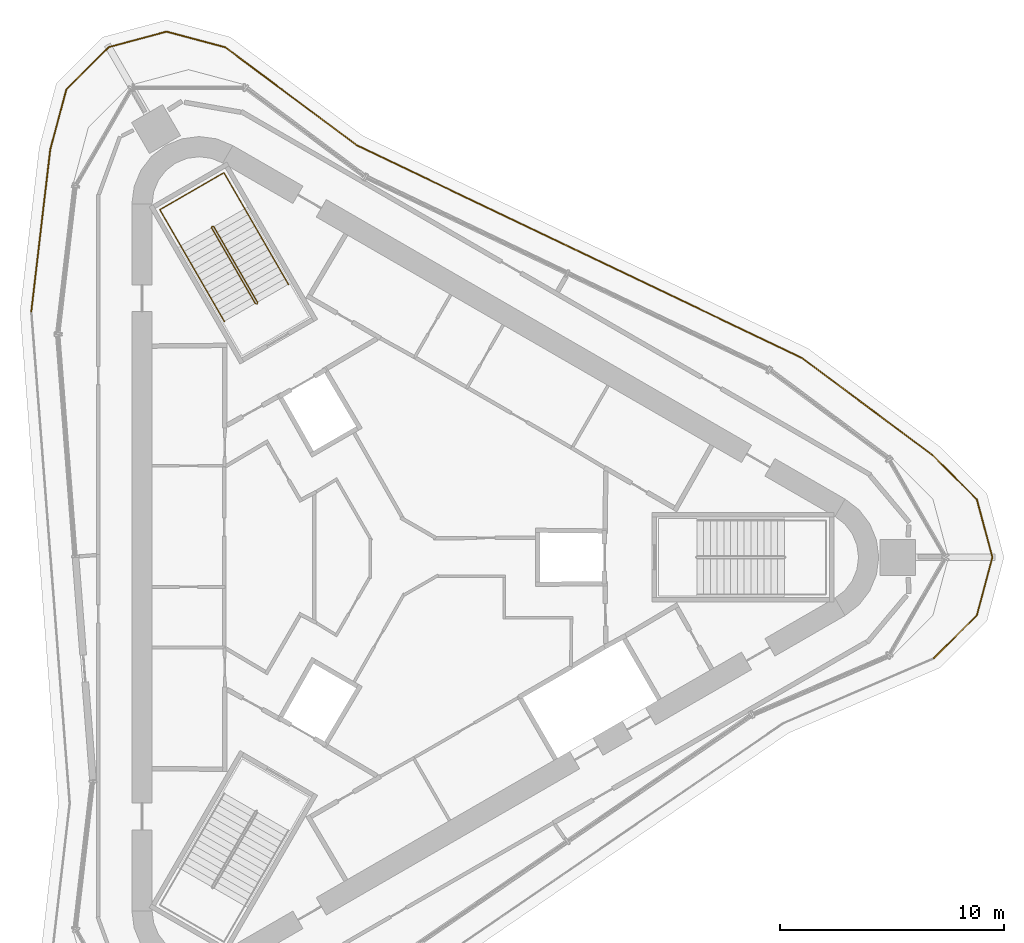
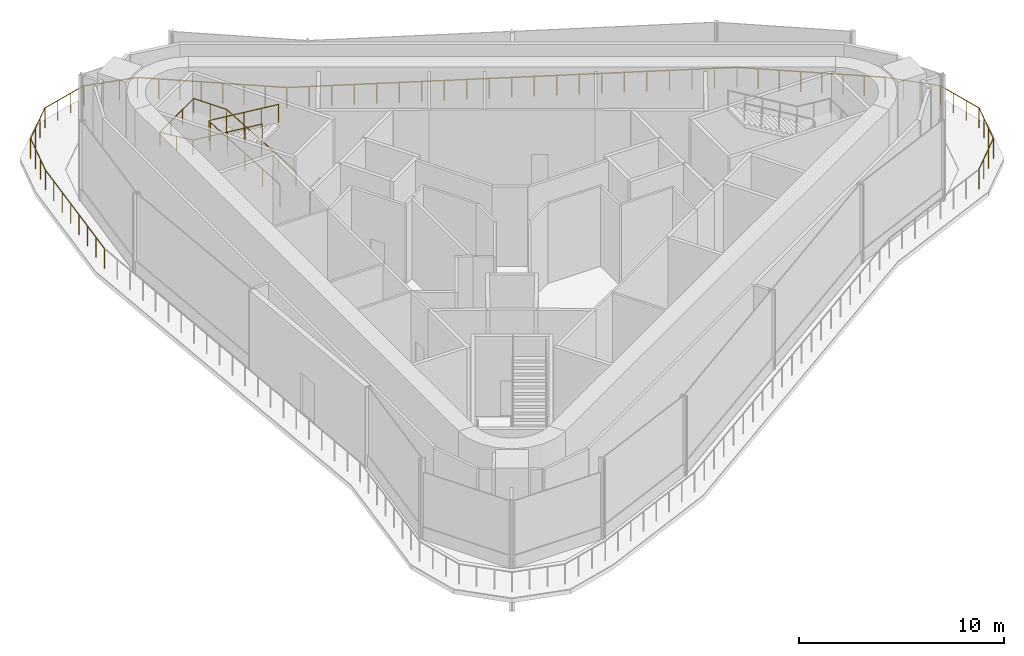
# One storey, part 8 of 8: 10 railings.
"""IFC4 building model written with IfcOpenShell, lengths in metres."""

from ifc_helpers import new_model, si_unit, direction, frame, origin, origin_2d, place, context, subcontext, project, spatial, circle, extrude, material, type_object, element, save


model = new_model("IFC4")

# Units and contexts
model_context = context("Model", 3, precision=1e-05, world=origin(), true_north=direction((0.0, 1.0)))
body_context = subcontext(model_context, "Body", "Model", "MODEL_VIEW")
ifc_project = project(units=[si_unit("LENGTHUNIT", "METRE"), si_unit("AREAUNIT", "SQUARE_METRE"), si_unit("VOLUMEUNIT", "CUBIC_METRE"), si_unit("PLANEANGLEUNIT", "RADIAN"), si_unit("MASSUNIT", "GRAM", prefix="KILO")], contexts=[model_context])

# Site, building, storey
site_placement = place(None, origin())
site = spatial("IfcSite", under=ifc_project, at=site_placement, CompositionType="ELEMENT")
building_placement = place(site_placement, origin())
building = spatial("IfcBuilding", under=site, at=building_placement, Name="Tanit Gate Tower", CompositionType="ELEMENT")
storey_placement = place(building_placement, frame((0.0, 0.0, 435.300048828125)))
storey = spatial("IfcBuildingStorey", under=building, at=storey_placement, Name="L98", CompositionType="ELEMENT", Elevation=435.300048828125)

# Railings
ifc_material_1 = material(Name="Stainless steel", Category="steel")
railing_type_1 = type_object("IfcRailingType", Name="Guard 1200 terrace balustrade", PredefinedType="GUARDRAIL", material=ifc_material_1)
railing_1_placement = place(storey_placement, frame((23.6171875, 4.54150390625, 0.0400390625)))
element("IfcRailing", 1, at=railing_1_placement, inside=storey, type_object=railing_type_1, Name="Terrace guard L98 1", PredefinedType="GUARDRAIL", context=body_context, shape_type="SweptSolid", body=[
    extrude(circle(Radius=0.02392578125, at=origin_2d()), frame((0.0, 0.0, 1.17578125), z_axis=(0.707106781187, -0.707106781187, 0.0), x_axis=(0.707106781187, 0.707106781187, 0.0)), (0.0, 0.0, 1.0), 2.77099609375),
    extrude(circle(Radius=0.02392578125, at=origin_2d()), frame((1.95947265625, -1.95947265625, 1.17578125), z_axis=(0.258748259402, -0.965944790481, 0.0), x_axis=(0.965944790481, 0.258748259402, 0.0)), (0.0, 0.0, 1.0), 2.673095703125),
    extrude(circle(Radius=0.02099609375, at=origin_2d()), origin(), (0.0, 0.0, 1.0), 1.15185546875),
    extrude(circle(Radius=0.02099609375, at=origin_2d()), frame((0.653076171875, -0.653076171875, 0.0)), (0.0, 0.0, 1.0), 1.15185546875),
    extrude(circle(Radius=0.02099609375, at=origin_2d()), frame((1.306396484375, -1.306396484375, 0.0)), (0.0, 0.0, 1.0), 1.15185546875),
    extrude(circle(Radius=0.02099609375, at=origin_2d()), frame((1.95947265625, -1.95947265625, 0.0)), (0.0, 0.0, 1.0), 1.15185546875),
    extrude(circle(Radius=0.02099609375, at=origin_2d()), frame((2.18994140625, -2.820068359375, 0.0)), (0.0, 0.0, 1.0), 1.15185546875),
    extrude(circle(Radius=0.02099609375, at=origin_2d()), frame((2.420654296875, -3.680908203125, 0.0)), (0.0, 0.0, 1.0), 1.15185546875),
    extrude(circle(Radius=0.02099609375, at=origin_2d()), frame((2.651123046875, -4.54150390625, 0.0)), (0.0, 0.0, 1.0), 1.15185546875),
])
railing_2_placement = place(storey_placement, frame((26.268310546875, 0.0, 0.0400390625)))
element("IfcRailing", 2, at=railing_2_placement, inside=storey, type_object=railing_type_1, Name="Terrace guard L98 1", PredefinedType="GUARDRAIL", context=body_context, shape_type="SweptSolid", body=[
    extrude(circle(Radius=0.02392578125, at=origin_2d()), frame((0.0, 0.0, 1.17578125), z_axis=(-0.258748259402, -0.965944790481, 0.0), x_axis=(0.965944790481, -0.258748259402, 0.0)), (0.0, 0.0, 1.0), 2.673095703125),
    extrude(circle(Radius=0.02392578125, at=origin_2d()), frame((-0.691650390625, -2.58203125, 1.17578125), z_axis=(-0.707106781187, -0.707106781187, 0.0), x_axis=(0.707106781187, -0.707106781187, 0.0)), (0.0, 0.0, 1.0), 2.711669921875),
    extrude(circle(Radius=0.02099609375, at=origin_2d()), origin(), (0.0, 0.0, 1.0), 1.15185546875),
    extrude(circle(Radius=0.02099609375, at=origin_2d()), frame((-0.23046875, -0.860595703125, 0.0)), (0.0, 0.0, 1.0), 1.15185546875),
    extrude(circle(Radius=0.02099609375, at=origin_2d()), frame((-0.461181640625, -1.721435546875, 0.0)), (0.0, 0.0, 1.0), 1.15185546875),
    extrude(circle(Radius=0.02099609375, at=origin_2d()), frame((-0.691650390625, -2.58203125, 0.0)), (0.0, 0.0, 1.0), 1.15185546875),
    extrude(circle(Radius=0.02099609375, at=origin_2d()), frame((-1.330810546875, -3.22119140625, 0.0)), (0.0, 0.0, 1.0), 1.15185546875),
    extrude(circle(Radius=0.02099609375, at=origin_2d()), frame((-1.969970703125, -3.8603515625, 0.0)), (0.0, 0.0, 1.0), 1.15185546875),
    extrude(circle(Radius=0.02099609375, at=origin_2d()), frame((-2.609130859375, -4.49951171875, 0.0)), (0.0, 0.0, 1.0), 1.15185546875),
])
railing_3_placement = place(storey_placement, frame((-16.587890625, 10.956298828125, 0.0400390625)))
element("IfcRailing", 3, at=railing_3_placement, inside=storey, type_object=railing_type_1, Name="Terrace guard L98 1", PredefinedType="GUARDRAIL", context=body_context, shape_type="SweptSolid", body=[
    extrude(circle(Radius=0.02392578125, at=origin_2d()), frame((0.0, 0.0, 1.17578125), z_axis=(0.116307758268, 0.993213222509, 0.0), x_axis=(-0.993213222509, 0.116307758268, 0.0)), (0.0, 0.0, 1.0), 7.275390625),
    extrude(circle(Radius=0.02392578125, at=origin_2d()), frame((0.84619140625, 7.22607421875, 1.17578125), z_axis=(0.258857928046, 0.965915406797, 0.0), x_axis=(-0.965915406797, 0.258857928046, 0.0)), (0.0, 0.0, 1.0), 2.77099609375),
    extrude(circle(Radius=0.02099609375, at=origin_2d()), origin(), (0.0, 0.0, 1.0), 1.15185546875),
    extrude(circle(Radius=0.02099609375, at=origin_2d()), frame((0.120849609375, 1.0322265625, 0.0)), (0.0, 0.0, 1.0), 1.15185546875),
    extrude(circle(Radius=0.02099609375, at=origin_2d()), frame((0.24169921875, 2.064697265625, 0.0)), (0.0, 0.0, 1.0), 1.15185546875),
    extrude(circle(Radius=0.02099609375, at=origin_2d()), frame((0.362548828125, 3.096923828125, 0.0)), (0.0, 0.0, 1.0), 1.15185546875),
    extrude(circle(Radius=0.02099609375, at=origin_2d()), frame((0.483642578125, 4.129150390625, 0.0)), (0.0, 0.0, 1.0), 1.15185546875),
    extrude(circle(Radius=0.02099609375, at=origin_2d()), frame((0.6044921875, 5.161376953125, 0.0)), (0.0, 0.0, 1.0), 1.15185546875),
    extrude(circle(Radius=0.02099609375, at=origin_2d()), frame((0.725341796875, 6.19384765625, 0.0)), (0.0, 0.0, 1.0), 1.15185546875),
    extrude(circle(Radius=0.02099609375, at=origin_2d()), frame((0.84619140625, 7.22607421875, 0.0)), (0.0, 0.0, 1.0), 1.15185546875),
    extrude(circle(Radius=0.02099609375, at=origin_2d()), frame((1.085205078125, 8.1181640625, 0.0)), (0.0, 0.0, 1.0), 1.15185546875),
    extrude(circle(Radius=0.02099609375, at=origin_2d()), frame((1.324462890625, 9.010498046875, 0.0)), (0.0, 0.0, 1.0), 1.15185546875),
    extrude(circle(Radius=0.02099609375, at=origin_2d()), frame((1.5634765625, 9.902587890625, 0.0)), (0.0, 0.0, 1.0), 1.15185546875),
])
railing_4_placement = place(storey_placement, frame((-15.0244140625, 20.85888671875, 0.0400390625)))
element("IfcRailing", 4, at=railing_4_placement, inside=storey, type_object=railing_type_1, Name="Terrace guard L98 1", PredefinedType="GUARDRAIL", context=body_context, shape_type="SweptSolid", body=[
    extrude(circle(Radius=0.02392578125, at=origin_2d()), frame((0.0, 0.0, 1.17578125), z_axis=(0.707106781187, 0.707106781187, 0.0), x_axis=(-0.707106781187, 0.707106781187, 0.0)), (0.0, 0.0, 1.0), 2.673095703125),
    extrude(circle(Radius=0.02392578125, at=origin_2d()), frame((1.89013671875, 1.89013671875, 1.17578125), z_axis=(0.965928077566, 0.258810643077, 0.0), x_axis=(-0.258810643077, 0.965928077566, 0.0)), (0.0, 0.0, 1.0), 2.67333984375),
    extrude(circle(Radius=0.02099609375, at=origin_2d()), origin(), (0.0, 0.0, 1.0), 1.15185546875),
    extrude(circle(Radius=0.02099609375, at=origin_2d()), frame((0.630126953125, 0.630126953125, 0.0)), (0.0, 0.0, 1.0), 1.15185546875),
    extrude(circle(Radius=0.02099609375, at=origin_2d()), frame((1.260009765625, 1.260009765625, 0.0)), (0.0, 0.0, 1.0), 1.15185546875),
    extrude(circle(Radius=0.02099609375, at=origin_2d()), frame((1.89013671875, 1.89013671875, 0.0)), (0.0, 0.0, 1.0), 1.15185546875),
    extrude(circle(Radius=0.02099609375, at=origin_2d()), frame((2.7509765625, 2.120849609375, 0.0)), (0.0, 0.0, 1.0), 1.15185546875),
    extrude(circle(Radius=0.02099609375, at=origin_2d()), frame((3.611572265625, 2.351318359375, 0.0)), (0.0, 0.0, 1.0), 1.15185546875),
    extrude(circle(Radius=0.02099609375, at=origin_2d()), frame((4.472412109375, 2.58203125, 0.0)), (0.0, 0.0, 1.0), 1.15185546875),
])
railing_5_placement = place(storey_placement, frame((-10.552001953125, 23.44091796875, 0.0400390625)))
element("IfcRailing", 5, at=railing_5_placement, inside=storey, type_object=railing_type_1, Name="Terrace guard L98 1", PredefinedType="GUARDRAIL", context=body_context, shape_type="SweptSolid", body=[
    extrude(circle(Radius=0.02392578125, at=origin_2d()), frame((0.0, 0.0, 1.17578125), z_axis=(0.965932376599, -0.258794597776, 0.0), x_axis=(0.258794597776, 0.965932376599, 0.0)), (0.0, 0.0, 1.0), 2.711181640625),
    extrude(circle(Radius=0.02392578125, at=origin_2d()), frame((2.618896484375, -0.70166015625, 1.17578125), z_axis=(0.801978462768, -0.597352948646, 0.0), x_axis=(0.597352948646, 0.801978462768, 0.0)), (0.0, 0.0, 1.0), 7.313720703125),
    extrude(circle(Radius=0.02099609375, at=origin_2d()), origin(), (0.0, 0.0, 1.0), 1.15185546875),
    extrude(circle(Radius=0.02099609375, at=origin_2d()), frame((0.873046875, -0.23388671875, 0.0)), (0.0, 0.0, 1.0), 1.15185546875),
    extrude(circle(Radius=0.02099609375, at=origin_2d()), frame((1.745849609375, -0.4677734375, 0.0)), (0.0, 0.0, 1.0), 1.15185546875),
    extrude(circle(Radius=0.02099609375, at=origin_2d()), frame((2.618896484375, -0.70166015625, 0.0)), (0.0, 0.0, 1.0), 1.15185546875),
    extrude(circle(Radius=0.02099609375, at=origin_2d()), frame((3.456787109375, -1.32568359375, 0.0)), (0.0, 0.0, 1.0), 1.15185546875),
    extrude(circle(Radius=0.02099609375, at=origin_2d()), frame((4.294677734375, -1.949951171875, 0.0)), (0.0, 0.0, 1.0), 1.15185546875),
    extrude(circle(Radius=0.02099609375, at=origin_2d()), frame((5.132568359375, -2.573974609375, 0.0)), (0.0, 0.0, 1.0), 1.15185546875),
    extrude(circle(Radius=0.02099609375, at=origin_2d()), frame((5.970703125, -3.1982421875, 0.0)), (0.0, 0.0, 1.0), 1.15185546875),
    extrude(circle(Radius=0.02099609375, at=origin_2d()), frame((6.80859375, -3.822265625, 0.0)), (0.0, 0.0, 1.0), 1.15185546875),
    extrude(circle(Radius=0.02099609375, at=origin_2d()), frame((7.646484375, -4.446533203125, 0.0)), (0.0, 0.0, 1.0), 1.15185546875),
    extrude(circle(Radius=0.02099609375, at=origin_2d()), frame((8.484375, -5.070556640625, 0.0)), (0.0, 0.0, 1.0), 1.15185546875),
])
for number, where, name in (
    (6, (-2.067626953125, 18.370361328125, 0.0400390625), "Terrace guard L98 1"),
    (7, (7.857421875, 13.62890625, 0.0400390625), "Terrace guard L98 1"),
):
    element("IfcRailing", number, at=place(storey_placement, frame(where)), inside=storey, type_object=railing_type_1, Name=name, PredefinedType="GUARDRAIL", context=body_context, shape_type="SweptSolid", body=[
        extrude(circle(Radius=0.02392578125, at=origin_2d()), frame((0.0, 0.0, 1.17578125), z_axis=(0.902321945968, -0.431062763207, 0.0), x_axis=(0.431062763207, 0.902321945968, 0.0)), (0.0, 0.0, 1.0), 10.99951171875),
        extrude(circle(Radius=0.02099609375, at=origin_2d()), origin(), (0.0, 0.0, 1.0), 1.15185546875),
        extrude(circle(Radius=0.02099609375, at=origin_2d()), frame((0.992431640625, -0.47412109375, 0.0)), (0.0, 0.0, 1.0), 1.15185546875),
        extrude(circle(Radius=0.02099609375, at=origin_2d()), frame((1.985107421875, -0.9482421875, 0.0)), (0.0, 0.0, 1.0), 1.15185546875),
        extrude(circle(Radius=0.02099609375, at=origin_2d()), frame((2.9775390625, -1.42236328125, 0.0)), (0.0, 0.0, 1.0), 1.15185546875),
        extrude(circle(Radius=0.02099609375, at=origin_2d()), frame((3.969970703125, -1.896484375, 0.0)), (0.0, 0.0, 1.0), 1.15185546875),
        extrude(circle(Radius=0.02099609375, at=origin_2d()), frame((4.96240234375, -2.37060546875, 0.0)), (0.0, 0.0, 1.0), 1.15185546875),
        extrude(circle(Radius=0.02099609375, at=origin_2d()), frame((5.955078125, -2.844970703125, 0.0)), (0.0, 0.0, 1.0), 1.15185546875),
        extrude(circle(Radius=0.02099609375, at=origin_2d()), frame((6.947509765625, -3.319091796875, 0.0)), (0.0, 0.0, 1.0), 1.15185546875),
        extrude(circle(Radius=0.02099609375, at=origin_2d()), frame((7.93994140625, -3.793212890625, 0.0)), (0.0, 0.0, 1.0), 1.15185546875),
        extrude(circle(Radius=0.02099609375, at=origin_2d()), frame((8.9326171875, -4.267333984375, 0.0)), (0.0, 0.0, 1.0), 1.15185546875),
        extrude(circle(Radius=0.02099609375, at=origin_2d()), frame((9.925048828125, -4.741455078125, 0.0)), (0.0, 0.0, 1.0), 1.15185546875),
    ])
railing_6_placement = place(storey_placement, frame((17.782470703125, 8.887451171875, 0.0400390625)))
element("IfcRailing", 8, at=railing_6_placement, inside=storey, type_object=railing_type_1, Name="Terrace guard L98 1", PredefinedType="GUARDRAIL", context=body_context, shape_type="SweptSolid", body=[
    extrude(circle(Radius=0.02392578125, at=origin_2d()), frame((0.0, 0.0, 1.17578125), z_axis=(0.801980858269, -0.597349732543, 0.0), x_axis=(0.597349732543, 0.801980858269, 0.0)), (0.0, 0.0, 1.0), 7.275390625),
    extrude(circle(Radius=0.02099609375, at=origin_2d()), origin(), (0.0, 0.0, 1.0), 1.15185546875),
    extrude(circle(Radius=0.02099609375, at=origin_2d()), frame((0.83349609375, -0.620849609375, 0.0)), (0.0, 0.0, 1.0), 1.15185546875),
    extrude(circle(Radius=0.02099609375, at=origin_2d()), frame((1.6669921875, -1.24169921875, 0.0)), (0.0, 0.0, 1.0), 1.15185546875),
    extrude(circle(Radius=0.02099609375, at=origin_2d()), frame((2.50048828125, -1.862548828125, 0.0)), (0.0, 0.0, 1.0), 1.15185546875),
    extrude(circle(Radius=0.02099609375, at=origin_2d()), frame((3.334228515625, -2.4833984375, 0.0)), (0.0, 0.0, 1.0), 1.15185546875),
    extrude(circle(Radius=0.02099609375, at=origin_2d()), frame((4.167724609375, -3.104248046875, 0.0)), (0.0, 0.0, 1.0), 1.15185546875),
    extrude(circle(Radius=0.02099609375, at=origin_2d()), frame((5.001220703125, -3.72509765625, 0.0)), (0.0, 0.0, 1.0), 1.15185546875),
    extrude(circle(Radius=0.02099609375, at=origin_2d()), frame((5.834716796875, -4.345947265625, 0.0)), (0.0, 0.0, 1.0), 1.15185546875),
])
ifc_material_2 = material(Name="Stainless steel balustrade", Category="steel")
railing_type_2 = type_object("IfcRailingType", Name="INT-STAIR-GUARD", PredefinedType="GUARDRAIL", material=ifc_material_2)
railing_7_placement = place(storey_placement, frame((-6.527099609375, 11.29345703125, 0.0)))
element("IfcRailing", 9, at=railing_7_placement, inside=storey, type_object=railing_type_2, Name="L98 S2 stair guard 1", PredefinedType="GUARDRAIL", context=body_context, shape_type="SweptSolid", body=[
    extrude(circle(Radius=0.02392578125, at=origin_2d()), frame((0.0, 0.0, 1.076171875), z_axis=(0.868243142124, 0.496138938357, 0.0), x_axis=(-0.496138938357, 0.868243142124, 0.0)), (0.0, 0.0, 1.0), 0.01171875),
    extrude(circle(Radius=0.02392578125, at=origin_2d()), frame((0.01025390625, 0.005859375, 1.076171875), z_axis=(0.095374316588, 0.356064115262, 0.929581672344), x_axis=(-0.965948051503, 0.258736085224, 0.0)), (0.0, 0.0, 1.0), 0.19189453125),
    extrude(circle(Radius=0.02392578125, at=origin_2d()), frame((0.028564453125, 0.07421875, 1.25439453125), z_axis=(-0.429636665928, 0.744158462057, 0.511508082673), x_axis=(-0.866027128446, -0.499997012787, 0.0)), (0.0, 0.0, 1.0), 4.53857421875),
    extrude(circle(Radius=0.02392578125, at=origin_2d()), frame((-1.92138671875, 3.45166015625, 3.576171875), z_axis=(-0.965948051503, 0.258736085224, 0.0), x_axis=(-0.258736085224, -0.965948051503, 0.0)), (0.0, 0.0, 1.0), 0.07080078125),
    extrude(circle(Radius=0.02392578125, at=origin_2d()), frame((-1.98974609375, 3.469970703125, 3.576171875), z_axis=(-0.868243142124, -0.496138938357, 0.0), x_axis=(0.496138938357, -0.868243142124, 0.0)), (0.0, 0.0, 1.0), 0.01171875),
    extrude(circle(Radius=0.02392578125, at=origin_2d()), frame((-2.0, 3.464111328125, 3.576171875), z_axis=(-0.095374316588, -0.356064115262, 0.929581672344), x_axis=(0.965948051503, -0.258736085224, 0.0)), (0.0, 0.0, 1.0), 0.19189453125),
    extrude(circle(Radius=0.02392578125, at=origin_2d()), frame((-2.018310546875, 3.395751953125, 3.75439453125), z_axis=(0.429636665928, -0.744158462057, 0.511508082673), x_axis=(0.866027128446, 0.499997012787, 0.0)), (0.0, 0.0, 1.0), 4.53857421875),
    extrude(circle(Radius=0.02099609375, at=origin_2d()), origin(), (0.0, 0.0, 1.0), 1.052001953125),
    extrude(circle(Radius=0.02099609375, at=origin_2d()), frame((0.01025390625, 0.005859375, 0.0)), (0.0, 0.0, 1.0), 1.052001953125),
    extrude(circle(Radius=0.02099609375, at=origin_2d()), frame((0.028564453125, 0.07421875, 0.178466796875)), (0.0, 0.0, 1.0), 1.052001953125),
    extrude(circle(Radius=0.02099609375, at=origin_2d()), frame((-0.458984375, 0.91845703125, 0.7587890625)), (0.0, 0.0, 1.0), 1.052001953125),
    extrude(circle(Radius=0.02099609375, at=origin_2d()), frame((-0.9462890625, 1.762939453125, 1.33935546875)), (0.0, 0.0, 1.0), 1.052001953125),
    extrude(circle(Radius=0.02099609375, at=origin_2d()), frame((-1.433837890625, 2.607421875, 1.919677734375)), (0.0, 0.0, 1.0), 1.052001953125),
    extrude(circle(Radius=0.02099609375, at=origin_2d()), frame((-1.92138671875, 3.45166015625, 2.5)), (0.0, 0.0, 1.0), 1.052001953125),
    extrude(circle(Radius=0.02099609375, at=origin_2d()), frame((-1.98974609375, 3.469970703125, 2.5)), (0.0, 0.0, 1.0), 1.052001953125),
    extrude(circle(Radius=0.02099609375, at=origin_2d()), frame((-2.0, 3.464111328125, 2.5)), (0.0, 0.0, 1.0), 1.052001953125),
    extrude(circle(Radius=0.02099609375, at=origin_2d()), frame((-2.018310546875, 3.395751953125, 2.678466796875)), (0.0, 0.0, 1.0), 1.052001953125),
    extrude(circle(Radius=0.02099609375, at=origin_2d()), frame((-1.53076171875, 2.55126953125, 3.2587890625)), (0.0, 0.0, 1.0), 1.052001953125),
    extrude(circle(Radius=0.02099609375, at=origin_2d()), frame((-1.04345703125, 1.70703125, 3.83935546875)), (0.0, 0.0, 1.0), 1.052001953125),
    extrude(circle(Radius=0.02099609375, at=origin_2d()), frame((-0.555908203125, 0.86279296875, 4.419677734375)), (0.0, 0.0, 1.0), 1.052001953125),
    extrude(circle(Radius=0.02099609375, at=origin_2d()), frame((-0.068359375, 0.018310546875, 5.0)), (0.0, 0.0, 1.0), 1.052001953125),
])
ifc_material_3 = material(Name="Stainless steel handrail", Category="steel")
railing_type_3 = type_object("IfcRailingType", Name="INT-STAIR-HANDRAIL", PredefinedType="HANDRAIL", material=ifc_material_3)
railing_8_placement = place(storey_placement, frame((-5.1181640625, 12.164794921875, 0.178466796875)))
element("IfcRailing", 10, at=railing_8_placement, inside=storey, type_object=railing_type_3, Name="L98 S2 stair handrail 1", PredefinedType="HANDRAIL", context=body_context, shape_type="SweptSolid", body=[
    extrude(circle(Radius=0.02392578125, at=origin_2d()), frame((0.0, 0.0, 0.8759765625), z_axis=(-0.429636665928, 0.744158462057, 0.511508082673), x_axis=(-0.866027128446, -0.499997012787, 0.0)), (0.0, 0.0, 1.0), 4.53857421875),
    extrude(circle(Radius=0.02392578125, at=origin_2d()), frame((-1.949951171875, 3.37744140625, 3.197265625), z_axis=(-0.499972951856, 0.866041019474, 0.0), x_axis=(-0.866041019474, -0.499972951856, 0.0)), (0.0, 0.0, 1.0), 1.85595703125),
    extrude(circle(Radius=0.02392578125, at=origin_2d()), frame((-2.8779296875, 4.98486328125, 3.197265625), z_axis=(-0.866008176907, -0.50002983664, 0.0), x_axis=(0.50002983664, -0.866008176907, 0.0)), (0.0, 0.0, 1.0), 3.300048828125),
    extrude(circle(Radius=0.02392578125, at=origin_2d()), frame((-5.73583984375, 3.334716796875, 3.197265625), z_axis=(0.497733776972, -0.862031426942, 0.095723070499), x_axis=(0.866008133109, 0.500029912494, 0.0)), (0.0, 0.0, 1.0), 1.864501953125),
    extrude(circle(Radius=0.02392578125, at=origin_2d()), frame((-4.807861328125, 1.7275390625, 3.3759765625), z_axis=(0.429663328258, -0.744165266205, 0.511475787231), x_axis=(0.866015672276, 0.500016855088, 0.0)), (0.0, 0.0, 1.0), 4.538818359375),
    extrude(circle(Radius=0.02099609375, at=origin_2d()), origin(), (0.0, 0.0, 1.0), 0.851806640625),
    extrude(circle(Radius=0.02099609375, at=origin_2d()), frame((-0.487548828125, 0.84423828125, 0.580322265625)), (0.0, 0.0, 1.0), 0.851806640625),
    extrude(circle(Radius=0.02099609375, at=origin_2d()), frame((-0.97509765625, 1.688720703125, 1.16064453125)), (0.0, 0.0, 1.0), 0.851806640625),
    extrude(circle(Radius=0.02099609375, at=origin_2d()), frame((-1.46240234375, 2.533203125, 1.7412109375)), (0.0, 0.0, 1.0), 0.851806640625),
    extrude(circle(Radius=0.02099609375, at=origin_2d()), frame((-1.949951171875, 3.37744140625, 2.321533203125)), (0.0, 0.0, 1.0), 0.851806640625),
    extrude(circle(Radius=0.02099609375, at=origin_2d()), frame((-2.4140625, 4.18115234375, 2.321533203125)), (0.0, 0.0, 1.0), 0.851806640625),
    extrude(circle(Radius=0.02099609375, at=origin_2d()), frame((-2.8779296875, 4.98486328125, 2.321533203125)), (0.0, 0.0, 1.0), 0.851806640625),
    extrude(circle(Radius=0.02099609375, at=origin_2d()), frame((-3.83056640625, 4.434814453125, 2.321533203125)), (0.0, 0.0, 1.0), 0.851806640625),
    extrude(circle(Radius=0.02099609375, at=origin_2d()), frame((-4.783203125, 3.884765625, 2.321533203125)), (0.0, 0.0, 1.0), 0.851806640625),
    extrude(circle(Radius=0.02099609375, at=origin_2d()), frame((-5.73583984375, 3.334716796875, 2.321533203125)), (0.0, 0.0, 1.0), 0.851806640625),
    extrude(circle(Radius=0.02099609375, at=origin_2d()), frame((-5.27197265625, 2.53125, 2.41064453125)), (0.0, 0.0, 1.0), 0.851806640625),
    extrude(circle(Radius=0.02099609375, at=origin_2d()), frame((-4.807861328125, 1.7275390625, 2.5)), (0.0, 0.0, 1.0), 0.851806640625),
    extrude(circle(Radius=0.02099609375, at=origin_2d()), frame((-4.3203125, 0.883056640625, 3.080322265625)), (0.0, 0.0, 1.0), 0.851806640625),
    extrude(circle(Radius=0.02099609375, at=origin_2d()), frame((-3.832763671875, 0.03857421875, 3.66064453125)), (0.0, 0.0, 1.0), 0.851806640625),
    extrude(circle(Radius=0.02099609375, at=origin_2d()), frame((-3.34521484375, -0.8056640625, 4.2412109375)), (0.0, 0.0, 1.0), 0.851806640625),
    extrude(circle(Radius=0.02099609375, at=origin_2d()), frame((-2.857666015625, -1.650146484375, 4.821533203125)), (0.0, 0.0, 1.0), 0.851806640625),
])

save(model, "model.ifc")
